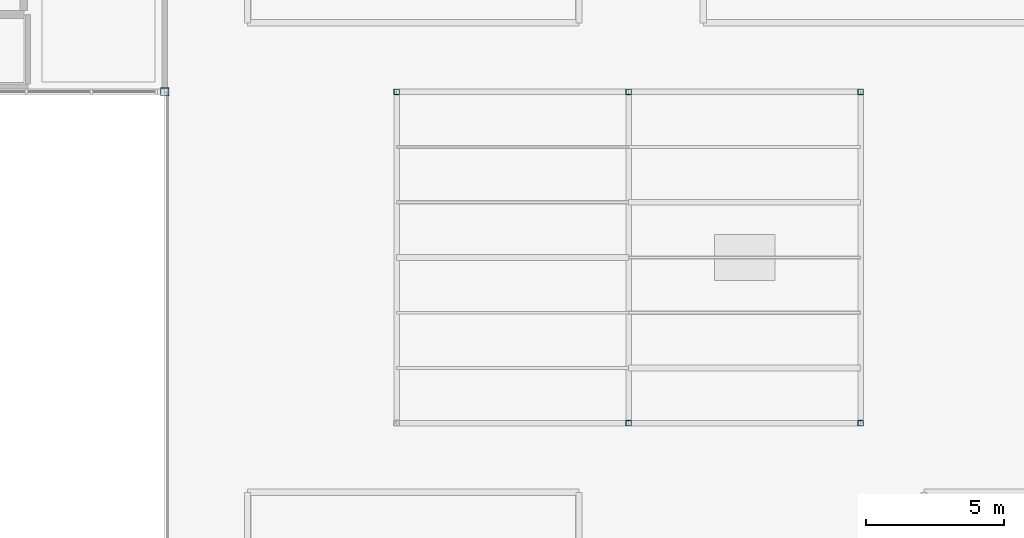
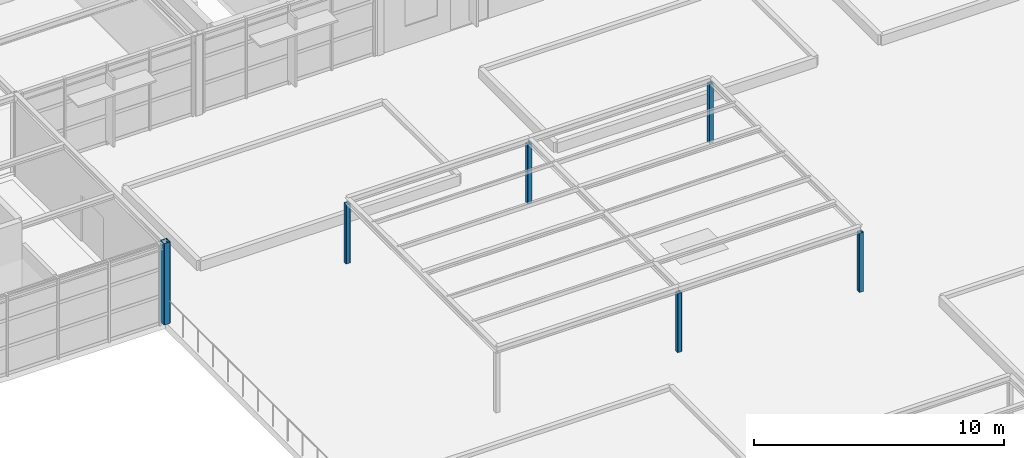
# One storey, part 7 of 49: 6 columns.
"""IFC4 building model written with IfcOpenShell, lengths in metres."""

from ifc_helpers import new_model, si_unit, direction, frame, origin, origin_2d, place, context, subcontext, project, spatial, hollow_rectangle, extrude, material, material_profile, profile_set, type_object, element, save


model = new_model("IFC4")

# Units and contexts
model_context = context("Model", 3, precision=1e-05, world=origin(), true_north=direction((0.0, 1.0)))
body_context = subcontext(model_context, "Body", "Model", "MODEL_VIEW")
ifc_project = project(units=[si_unit("LENGTHUNIT", "METRE"), si_unit("AREAUNIT", "SQUARE_METRE"), si_unit("VOLUMEUNIT", "CUBIC_METRE"), si_unit("PLANEANGLEUNIT", "RADIAN"), si_unit("MASSUNIT", "GRAM", prefix="KILO")], contexts=[model_context])

# Site, building, storey
site_placement = place(None, origin())
site = spatial("IfcSite", under=ifc_project, at=site_placement, CompositionType="ELEMENT")
building_placement = place(site_placement, origin())
building = spatial("IfcBuilding", under=site, at=building_placement, Name="Sitalva Quay Ferry Terminal", CompositionType="ELEMENT")
storey_placement = place(building_placement, frame((0.0, 0.0, 10.199951171875)))
storey = spatial("IfcBuildingStorey", under=building, at=storey_placement, Name="L03", CompositionType="ELEMENT", Elevation=10.199951171875)

# Columns
ifc_material_1 = material(Name="Structural Steel S355JR", Category="steel")
ifc_material_profile_1 = material_profile(ifc_material_1, hollow_rectangle(XDim=0.199951171875, YDim=0.199951171875, WallThickness=0.010009765625, InnerFilletRadius=0.010009765625, OuterFilletRadius=0.02001953125, at=origin_2d()), Name="SHS200x200x10")
ifc_profile_set_1 = profile_set([ifc_material_profile_1], Name="Structural Steel S355JR")
column_type_1 = type_object("IfcColumnType", Name="Col_SHS200x10", PredefinedType="COLUMN", material=ifc_profile_set_1)
for number, where, z_axis, x_axis, name in (
    (1, (100.800048828125, 54.0, 0.0), (0.0, 0.0, 1.0), (1.0, 0.0, 0.0), "L03 column 13G"),
    (2, (109.199951171875, 54.0, 0.0), (0.0, 0.0, 1.0), (1.0, 0.0, 0.0), "L03 column 14G"),
    (3, (92.39990234375, 66.0, 0.0), (0.0, 0.0, 1.0), (1.0, 0.0, 0.0), "L03 column 12H"),
    (4, (100.800048828125, 66.0, 0.0), (0.0, 0.0, 1.0), (1.0, 0.0, 0.0), "L03 column 13H"),
    (5, (109.199951171875, 66.0, 0.0), (0.0, 0.0, 1.0), (1.0, 0.0, 0.0), "L03 column 14H"),
):
    element("IfcColumn", number, at=place(storey_placement, frame(where, z_axis=z_axis, x_axis=x_axis)), inside=storey, type_object=column_type_1, Name=name, PredefinedType="COLUMN", context=body_context, shape_type="SweptSolid", body=[
        extrude(hollow_rectangle(XDim=0.199951171875, YDim=0.199951171875, WallThickness=0.010009765625, InnerFilletRadius=0.010009765625, OuterFilletRadius=0.02001953125, at=origin_2d()), origin(), (0.0, 0.0, 1.0), 2.89697265625),
    ])
ifc_material_2 = material(Name="Structural Steel S355JR", Category="steel")
ifc_material_profile_2 = material_profile(ifc_material_2, hollow_rectangle(XDim=0.300048828125, YDim=0.300048828125, WallThickness=0.012451171875, InnerFilletRadius=0.012451171875, OuterFilletRadius=0.02490234375, at=origin_2d()), Name="SHS300x300x12.5")
ifc_profile_set_2 = profile_set([ifc_material_profile_2], Name="Structural Steel S355JR")
column_type_2 = type_object("IfcColumnType", Name="Col_SHS300x12", PredefinedType="COLUMN", material=ifc_profile_set_2)
column_placement = place(storey_placement, frame((84.0, 66.0, 0.0), z_axis=(0.0, 0.0, 1.0), x_axis=(1.0, 0.0, 0.0)))
element("IfcColumn", 6, at=column_placement, inside=storey, type_object=column_type_2, Name="L03 column 11H", PredefinedType="COLUMN", context=body_context, shape_type="SweptSolid", body=[
    extrude(hollow_rectangle(XDim=0.300048828125, YDim=0.300048828125, WallThickness=0.012451171875, InnerFilletRadius=0.012451171875, OuterFilletRadius=0.02490234375, at=origin_2d()), origin(), (0.0, 0.0, 1.0), 3.97998046875),
])

save(model, "model.ifc")
